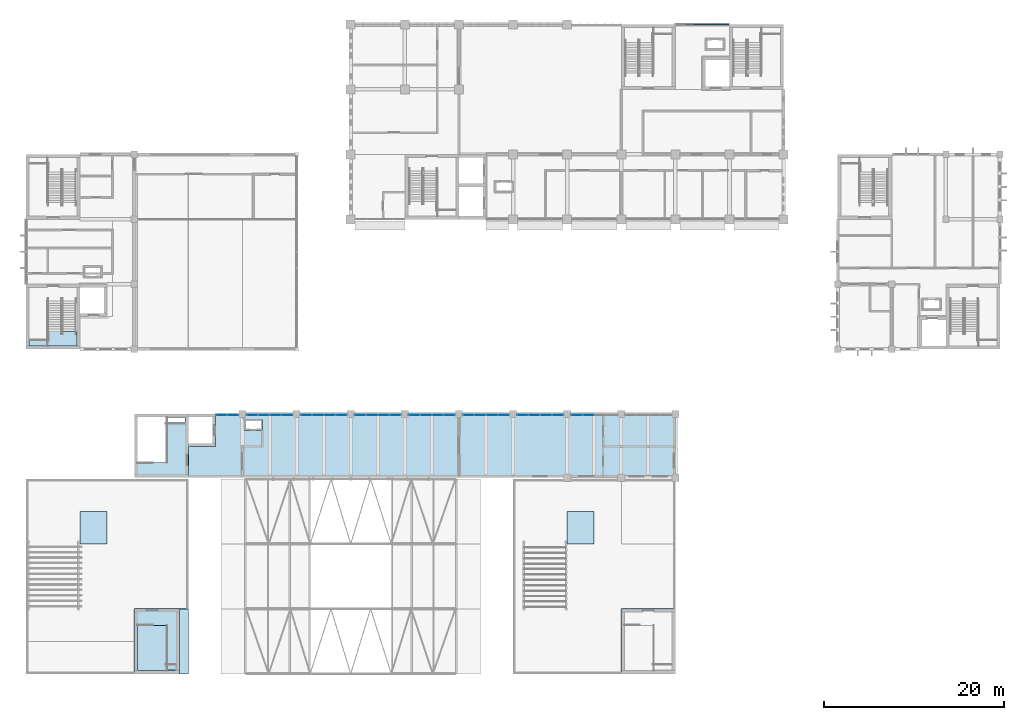
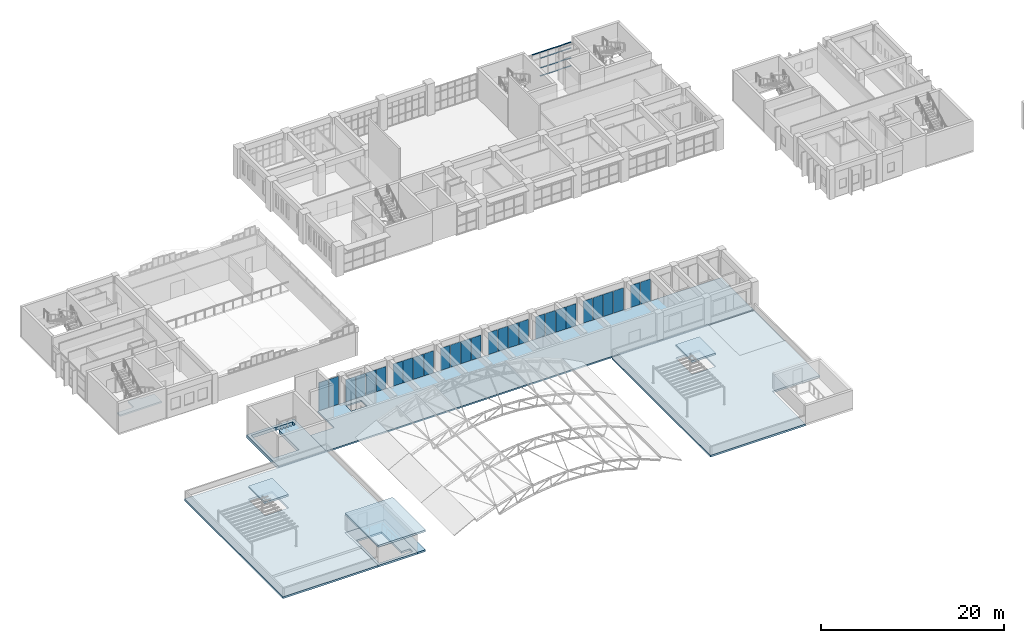
# One storey, part 53 of 92: 28 plates, 17 members, 9 slabs, 10 elements without a shape of their own.
"""IFC4 building model written with IfcOpenShell, lengths in metres."""

import ifcopenshell
import ifcopenshell.guid

model = None  # the IFC model being written
_history = None  # IfcOwnerHistory: only IFC2X3 demands one
_inside = {}  # id of a spatial element -> (the spatial element, [elements in it])
_under = {}  # id of a project, library or spatial element -> (it, [spatial elements below it])
_declared = {}  # id of a project -> (the project, [libraries it declares])
_typed = {}  # id of a type object -> (the type object, [elements of that type])
_made_of = {}  # id of a material, layer set ... -> (it, [elements and type objects made of it])


def new_model(schema):
    """Start an empty IFC model of exactly this schema.

    Asked for "IFC4X3", IfcOpenShell would pick the latest addendum, in which some entities
    have other attributes; the version numbers below select the first issue.
    IFC2X3 requires an IfcOwnerHistory on every rooted entity: one is made here for all.
    """
    global model, _history
    if schema == "IFC4X3":
        model = ifcopenshell.file(schema_version=(4, 3, 0, 0))
    else:
        model = ifcopenshell.file(schema=schema)
    _inside.clear()
    _under.clear()
    _declared.clear()
    _typed.clear()
    _made_of.clear()
    _history = None
    if model.schema == "IFC2X3":
        org = make("IfcOrganization", Name="unknown")
        user = make(
            "IfcPersonAndOrganization",
            ThePerson=make("IfcPerson", FamilyName="unknown"),
            TheOrganization=org,
        )
        app = make(
            "IfcApplication",
            ApplicationDeveloper=org,
            Version="unknown",
            ApplicationFullName="unknown",
            ApplicationIdentifier="unknown",
        )
        _history = make(
            "IfcOwnerHistory",
            OwningUser=user,
            OwningApplication=app,
            ChangeAction="ADDED",
            CreationDate=0,
        )
    return model


def make(cls, **values):
    """One entity of the class cls with the attributes given. An attribute that is None is left unset."""
    return model.create_entity(
        cls, **{name: value for name, value in values.items() if value is not None}
    )


def rooted(cls, **values):
    """An entity with a GlobalId (a new one), such as an element, a storey or a relation."""
    return make(cls, GlobalId=ifcopenshell.guid.new(), OwnerHistory=_history, **values)


def si_unit(unit_type, name, prefix=None):
    """IfcSIUnit, for example si_unit("LENGTHUNIT", "METRE", prefix="MILLI")."""
    return make("IfcSIUnit", UnitType=unit_type, Prefix=prefix, Name=name)


def assignment(units):
    """IfcUnitAssignment: the units of a project."""
    return None if units is None else make("IfcUnitAssignment", Units=units)


def point(xyz):
    """IfcCartesianPoint."""
    return None if xyz is None else make("IfcCartesianPoint", Coordinates=xyz)


def direction(xyz):
    """IfcDirection."""
    return None if xyz is None else make("IfcDirection", DirectionRatios=xyz)


def frame(location, z_axis=None, x_axis=None):
    """IfcAxis2Placement3D, a coordinate frame: its origin and axes. An axis left out is left unset."""
    return make(
        "IfcAxis2Placement3D",
        Location=point(location),
        Axis=direction(z_axis),
        RefDirection=direction(x_axis),
    )


def frame_2d(location, x_axis=None):
    """IfcAxis2Placement2D, a coordinate frame in the plane: its origin and x axis."""
    return make(
        "IfcAxis2Placement2D", Location=point(location), RefDirection=direction(x_axis)
    )


def origin():
    """The frame at (0, 0, 0) with its axes left unset."""
    return frame((0.0, 0.0, 0.0))


def origin_2d():
    """The frame at (0, 0) in the plane with its x axis left unset."""
    return frame_2d((0.0, 0.0))


def place(relative_to, where):
    """IfcLocalPlacement: puts the frame where relative to a parent placement (None: the world)."""
    return make(
        "IfcLocalPlacement", PlacementRelTo=relative_to, RelativePlacement=where
    )


def context(
    kind, dimensions, precision=None, world=None, true_north=None, identifier=None
):
    """IfcGeometricRepresentationContext, for example the 3D "Model" context."""
    return make(
        "IfcGeometricRepresentationContext",
        ContextIdentifier=identifier,
        ContextType=kind,
        CoordinateSpaceDimension=dimensions,
        Precision=precision,
        WorldCoordinateSystem=world,
        TrueNorth=true_north,
    )


def subcontext(parent, identifier, kind, view, scale=None):
    """IfcGeometricRepresentationSubContext, for example "Body" below "Model"."""
    return make(
        "IfcGeometricRepresentationSubContext",
        ContextIdentifier=identifier,
        ContextType=kind,
        ParentContext=parent,
        TargetScale=scale,
        TargetView=view,
    )


def project(units=None, contexts=None):
    """IfcProject with its units and contexts."""
    return rooted(
        "IfcProject",
        Name="project",
        RepresentationContexts=contexts,
        UnitsInContext=assignment(units),
    )


def spatial(cls, under=None, at=None, **own):
    """A site, building, storey or space (cls), placed at a placement, below another one or the project."""
    s = rooted(cls, ObjectPlacement=at, **own)
    if under is not None:
        _under.setdefault(under.id(), (under, []))[1].append(s)
    return s


def polyline(points):
    """IfcPolyline through the points."""
    return make("IfcPolyline", Points=[point(p) for p in points])


def profile(cls, at=None, kind="AREA", **sizes):
    """A parametric profile (cls). Its sizes go by their IFC names, for example OverallWidth=200.0."""
    return make(cls, ProfileType=kind, Position=at, **sizes)


def rectangle(**sizes):
    """IfcRectangleProfileDef."""
    return profile("IfcRectangleProfileDef", **sizes)


def hollow_rectangle(**sizes):
    """IfcRectangleHollowProfileDef."""
    return profile("IfcRectangleHollowProfileDef", **sizes)


def outline(outer, holes=None, kind="AREA"):
    """IfcArbitraryClosedProfileDef: a profile drawn as a closed curve; with holes, ...WithVoids."""
    if holes is None:
        return make("IfcArbitraryClosedProfileDef", ProfileType=kind, OuterCurve=outer)
    return make(
        "IfcArbitraryProfileDefWithVoids",
        ProfileType=kind,
        OuterCurve=outer,
        InnerCurves=holes,
    )


def extrude(swept, where, along, depth):
    """IfcExtrudedAreaSolid: the profile swept, set in the frame where, extruded along a direction by depth."""
    return make(
        "IfcExtrudedAreaSolid",
        SweptArea=swept,
        Position=where,
        ExtrudedDirection=direction(along),
        Depth=depth,
    )


def shape(context_of_items, identifier, shape_type, items):
    """IfcShapeRepresentation: the items that make up one representation, for example the "Body"."""
    return make(
        "IfcShapeRepresentation",
        ContextOfItems=context_of_items,
        RepresentationIdentifier=identifier,
        RepresentationType=shape_type,
        Items=items,
    )


def material(Name=None, Category=None):
    """IfcMaterial."""
    return make("IfcMaterial", Name=Name, Category=Category)


def layer(
    of_material, thickness, ventilated=None, Name=None, Category=None, Priority=None
):
    """IfcMaterialLayer: one layer of a wall or slab, of a material (None: an air gap)."""
    return make(
        "IfcMaterialLayer",
        Material=of_material,
        LayerThickness=thickness,
        IsVentilated=ventilated,
        Name=Name,
        Category=Category,
        Priority=Priority,
    )


def layer_set(layers, Name=None):
    """IfcMaterialLayerSet."""
    return make("IfcMaterialLayerSet", MaterialLayers=layers, LayerSetName=Name)


def material_profile(
    of_material, cross_section, Name=None, Category=None, Priority=None
):
    """IfcMaterialProfile: a cross section and its material."""
    return make(
        "IfcMaterialProfile",
        Name=Name,
        Material=of_material,
        Profile=cross_section,
        Priority=Priority,
        Category=Category,
    )


def profile_set(profiles, Name=None, composite=None):
    """IfcMaterialProfileSet."""
    return make(
        "IfcMaterialProfileSet",
        Name=Name,
        MaterialProfiles=profiles,
        CompositeProfile=composite,
    )


def made_of(thing, what):
    """Note that an element or type object is made of a material, layer set ...; save() writes the relation."""
    if what is not None:
        _made_of.setdefault(what.id(), (what, []))[1].append(thing)
    return thing


def type_object(cls, material=None, **own):
    """A type object (cls), such as IfcWallType, which elements share."""
    return made_of(rooted(cls, **own), material)


def element(
    cls,
    number,
    at=None,
    inside=None,
    cuts=None,
    type_object=None,
    material=None,
    context=None,
    identifier="Body",
    shape_type=None,
    held_by="IfcProductDefinitionShape",
    body=None,
    shapes=None,
    **own,
):
    """One element of the class cls, such as IfcWall. Its Tag is "e" and its number.

    at: its placement. inside: the storey or other place that contains it. cuts: it is an
    opening in that element (IfcRelVoidsElement). A single representation is given by context,
    identifier, shape_type and body (its items); several are given by shapes. held_by: the class
    of the entity that holds the representations. save() writes the other relations.
    """
    e = rooted(cls, Tag="e%d" % number, ObjectPlacement=at, **own)
    if body is not None:
        shapes = [shape(context, identifier, shape_type, body)]
    if shapes is not None:
        e.Representation = make(held_by, Representations=shapes)
    if inside is not None:
        _inside.setdefault(inside.id(), (inside, []))[1].append(e)
    if cuts is not None:
        rooted(
            "IfcRelVoidsElement", RelatingBuildingElement=cuts, RelatedOpeningElement=e
        )
    if type_object is not None:
        _typed.setdefault(type_object.id(), (type_object, []))[1].append(e)
    return made_of(e, material)


def aggregate(whole, parts):
    """IfcRelAggregates: a whole, such as a stair, and the parts it consists of."""
    return rooted("IfcRelAggregates", RelatingObject=whole, RelatedObjects=parts)


def save(model, path):
    """Write the relations noted so far, then the file.

    IfcRelAggregates (storeys below a building ...), IfcRelContainedInSpatialStructure (elements
    in a storey), IfcRelDefinesByType, IfcRelAssociatesMaterial and IfcRelDeclares: one each for
    every whole, place, type object, material and project.
    """
    for whole, parts in _under.values():
        aggregate(whole, parts)
    for where, things in _inside.values():
        rooted(
            "IfcRelContainedInSpatialStructure",
            RelatedElements=things,
            RelatingStructure=where,
        )
    for kind, things in _typed.values():
        rooted("IfcRelDefinesByType", RelatedObjects=things, RelatingType=kind)
    for what, things in _made_of.values():
        rooted("IfcRelAssociatesMaterial", RelatedObjects=things, RelatingMaterial=what)
    for by, libraries in _declared.values():
        rooted("IfcRelDeclares", RelatingContext=by, RelatedDefinitions=libraries)
    model.write(path)


model = new_model("IFC4")

# Units and contexts
model_context = context("Model", 3, precision=1e-05, world=origin(), true_north=direction((0.0, 1.0)))
body_context = subcontext(model_context, "Body", "Model", "MODEL_VIEW")
ifc_project = project(units=[si_unit("LENGTHUNIT", "METRE"), si_unit("AREAUNIT", "SQUARE_METRE"), si_unit("VOLUMEUNIT", "CUBIC_METRE"), si_unit("PLANEANGLEUNIT", "RADIAN"), si_unit("MASSUNIT", "GRAM", prefix="KILO")], contexts=[model_context])

# Site, building, storey
site_placement = place(None, origin())
site = spatial("IfcSite", under=ifc_project, at=site_placement, CompositionType="ELEMENT")
building_placement = place(site_placement, origin())
building = spatial("IfcBuilding", under=site, at=building_placement, Name="Laocheng Heights Fire and Rescue Headquarters", CompositionType="ELEMENT")
storey_placement = place(building_placement, frame((0.0, 0.0, 12.60009765625)))
storey = spatial("IfcBuildingStorey", under=building, at=storey_placement, Name="L03", CompositionType="ELEMENT", Elevation=12.60009765625)

# Curtain wall, members
ifc_material_1 = material(Name="Dark anodised aluminium unitised curtain wall, low-e double glazing", Category="aluminium")
curtain_wall_type_1 = type_object("IfcCurtainWallType", Name="CW 6000 x 3200 HQ CONTROL ROOM FACE", PredefinedType="NOTDEFINED", material=ifc_material_1)
curtain_wall_1_placement = place(storey_placement, origin())
curtain_wall_1 = element("IfcCurtainWall", 1, at=curtain_wall_1_placement, inside=storey, type_object=curtain_wall_type_1, Name="X23-X HQ NORTH L03", PredefinedType="NOTDEFINED")
ifc_material_2 = material(Name="Dark anodised aluminium 6063-T5 extrusion", Category="aluminium")
ifc_material_profile = material_profile(ifc_material_2, hollow_rectangle(XDim=0.10009765625, YDim=0.050048828125, WallThickness=0.0029296875, at=origin_2d()), Name="AL TRANSOM 100x50x3 HQ CONTROL ROOM FACE")
ifc_profile_set = profile_set([ifc_material_profile], Name="Dark anodised aluminium 6063-T5 extrusion")
member_type = type_object("IfcMemberType", Name="AL TRANSOM 100x50x3 HQ CONTROL ROOM FACE", PredefinedType="USERDEFINED", material=ifc_profile_set)
member_1_placement = place(storey_placement, frame((73.030029296875, 72.0, 3.1748046875), z_axis=(1.0, 0.0, 0.0), x_axis=(0.0, 1.0, 0.0)))
member_1 = element("IfcMember", 2, at=member_1_placement, type_object=member_type, Name="X23-X transom 2.4", ObjectType="TRANSOM", PredefinedType="USERDEFINED", context=body_context, shape_type="SweptSolid", body=[
    extrude(hollow_rectangle(XDim=0.10009765625, YDim=0.050048828125, WallThickness=0.0029296875, at=origin_2d()), origin(), (0.0, 0.0, 1.0), 0.93994140625),
])
member_2_placement = place(storey_placement, frame((74.030029296875, 72.0, 0.02490234375), z_axis=(1.0, 0.0, 0.0), x_axis=(0.0, 1.0, 0.0)))
member_2 = element("IfcMember", 3, at=member_2_placement, type_object=member_type, Name="X23-X transom 3.1", ObjectType="TRANSOM", PredefinedType="USERDEFINED", context=body_context, shape_type="SweptSolid", body=[
    extrude(hollow_rectangle(XDim=0.10009765625, YDim=0.050048828125, WallThickness=0.0029296875, at=origin_2d()), origin(), (0.0, 0.0, 1.0), 0.93994140625),
])
member_3_placement = place(storey_placement, frame((74.030029296875, 72.0, 1.099853515625), z_axis=(1.0, 0.0, 0.0), x_axis=(0.0, 1.0, 0.0)))
member_3 = element("IfcMember", 4, at=member_3_placement, type_object=member_type, Name="X23-X transom 3.2", ObjectType="TRANSOM", PredefinedType="USERDEFINED", context=body_context, shape_type="SweptSolid", body=[
    extrude(hollow_rectangle(XDim=0.10009765625, YDim=0.050048828125, WallThickness=0.0029296875, at=origin_2d()), origin(), (0.0, 0.0, 1.0), 0.93994140625),
])
member_4_placement = place(storey_placement, frame((74.030029296875, 72.0, 2.39990234375), z_axis=(1.0, 0.0, 0.0), x_axis=(0.0, 1.0, 0.0)))
member_4 = element("IfcMember", 5, at=member_4_placement, type_object=member_type, Name="X23-X transom 3.3", ObjectType="TRANSOM", PredefinedType="USERDEFINED", context=body_context, shape_type="SweptSolid", body=[
    extrude(hollow_rectangle(XDim=0.10009765625, YDim=0.050048828125, WallThickness=0.0029296875, at=origin_2d()), origin(), (0.0, 0.0, 1.0), 0.93994140625),
])
member_5_placement = place(storey_placement, frame((74.030029296875, 72.0, 3.1748046875), z_axis=(1.0, 0.0, 0.0), x_axis=(0.0, 1.0, 0.0)))
member_5 = element("IfcMember", 6, at=member_5_placement, type_object=member_type, Name="X23-X transom 3.4", ObjectType="TRANSOM", PredefinedType="USERDEFINED", context=body_context, shape_type="SweptSolid", body=[
    extrude(hollow_rectangle(XDim=0.10009765625, YDim=0.050048828125, WallThickness=0.0029296875, at=origin_2d()), origin(), (0.0, 0.0, 1.0), 0.93994140625),
])
member_6_placement = place(storey_placement, frame((75.030029296875, 72.0, 0.02490234375), z_axis=(1.0, 0.0, 0.0), x_axis=(0.0, 1.0, 0.0)))
member_6 = element("IfcMember", 7, at=member_6_placement, type_object=member_type, Name="X23-X transom 4.1", ObjectType="TRANSOM", PredefinedType="USERDEFINED", context=body_context, shape_type="SweptSolid", body=[
    extrude(hollow_rectangle(XDim=0.10009765625, YDim=0.050048828125, WallThickness=0.0029296875, at=origin_2d()), origin(), (0.0, 0.0, 1.0), 0.93994140625),
])
member_7_placement = place(storey_placement, frame((75.030029296875, 72.0, 1.099853515625), z_axis=(1.0, 0.0, 0.0), x_axis=(0.0, 1.0, 0.0)))
member_7 = element("IfcMember", 8, at=member_7_placement, type_object=member_type, Name="X23-X transom 4.2", ObjectType="TRANSOM", PredefinedType="USERDEFINED", context=body_context, shape_type="SweptSolid", body=[
    extrude(hollow_rectangle(XDim=0.10009765625, YDim=0.050048828125, WallThickness=0.0029296875, at=origin_2d()), origin(), (0.0, 0.0, 1.0), 0.93994140625),
])
member_8_placement = place(storey_placement, frame((75.030029296875, 72.0, 2.39990234375), z_axis=(1.0, 0.0, 0.0), x_axis=(0.0, 1.0, 0.0)))
member_8 = element("IfcMember", 9, at=member_8_placement, type_object=member_type, Name="X23-X transom 4.3", ObjectType="TRANSOM", PredefinedType="USERDEFINED", context=body_context, shape_type="SweptSolid", body=[
    extrude(hollow_rectangle(XDim=0.10009765625, YDim=0.050048828125, WallThickness=0.0029296875, at=origin_2d()), origin(), (0.0, 0.0, 1.0), 0.93994140625),
])
member_9_placement = place(storey_placement, frame((75.030029296875, 72.0, 3.1748046875), z_axis=(1.0, 0.0, 0.0), x_axis=(0.0, 1.0, 0.0)))
member_9 = element("IfcMember", 10, at=member_9_placement, type_object=member_type, Name="X23-X transom 4.4", ObjectType="TRANSOM", PredefinedType="USERDEFINED", context=body_context, shape_type="SweptSolid", body=[
    extrude(hollow_rectangle(XDim=0.10009765625, YDim=0.050048828125, WallThickness=0.0029296875, at=origin_2d()), origin(), (0.0, 0.0, 1.0), 0.93994140625),
])
member_10_placement = place(storey_placement, frame((76.030029296875, 72.0, 0.02490234375), z_axis=(1.0, 0.0, 0.0), x_axis=(0.0, 1.0, 0.0)))
member_10 = element("IfcMember", 11, at=member_10_placement, type_object=member_type, Name="X23-X transom 5.1", ObjectType="TRANSOM", PredefinedType="USERDEFINED", context=body_context, shape_type="SweptSolid", body=[
    extrude(hollow_rectangle(XDim=0.10009765625, YDim=0.050048828125, WallThickness=0.0029296875, at=origin_2d()), origin(), (0.0, 0.0, 1.0), 0.93994140625),
])
member_11_placement = place(storey_placement, frame((76.030029296875, 72.0, 1.099853515625), z_axis=(1.0, 0.0, 0.0), x_axis=(0.0, 1.0, 0.0)))
member_11 = element("IfcMember", 12, at=member_11_placement, type_object=member_type, Name="X23-X transom 5.2", ObjectType="TRANSOM", PredefinedType="USERDEFINED", context=body_context, shape_type="SweptSolid", body=[
    extrude(hollow_rectangle(XDim=0.10009765625, YDim=0.050048828125, WallThickness=0.0029296875, at=origin_2d()), origin(), (0.0, 0.0, 1.0), 0.93994140625),
])
member_12_placement = place(storey_placement, frame((76.030029296875, 72.0, 2.39990234375), z_axis=(1.0, 0.0, 0.0), x_axis=(0.0, 1.0, 0.0)))
member_12 = element("IfcMember", 13, at=member_12_placement, type_object=member_type, Name="X23-X transom 5.3", ObjectType="TRANSOM", PredefinedType="USERDEFINED", context=body_context, shape_type="SweptSolid", body=[
    extrude(hollow_rectangle(XDim=0.10009765625, YDim=0.050048828125, WallThickness=0.0029296875, at=origin_2d()), origin(), (0.0, 0.0, 1.0), 0.93994140625),
])
member_13_placement = place(storey_placement, frame((76.030029296875, 72.0, 3.1748046875), z_axis=(1.0, 0.0, 0.0), x_axis=(0.0, 1.0, 0.0)))
member_13 = element("IfcMember", 14, at=member_13_placement, type_object=member_type, Name="X23-X transom 5.4", ObjectType="TRANSOM", PredefinedType="USERDEFINED", context=body_context, shape_type="SweptSolid", body=[
    extrude(hollow_rectangle(XDim=0.10009765625, YDim=0.050048828125, WallThickness=0.0029296875, at=origin_2d()), origin(), (0.0, 0.0, 1.0), 0.93994140625),
])
member_14_placement = place(storey_placement, frame((77.030029296875, 72.0, 0.02490234375), z_axis=(1.0, 0.0, 0.0), x_axis=(0.0, 1.0, 0.0)))
member_14 = element("IfcMember", 15, at=member_14_placement, type_object=member_type, Name="X23-X transom 6.1", ObjectType="TRANSOM", PredefinedType="USERDEFINED", context=body_context, shape_type="SweptSolid", body=[
    extrude(hollow_rectangle(XDim=0.10009765625, YDim=0.050048828125, WallThickness=0.0029296875, at=origin_2d()), origin(), (0.0, 0.0, 1.0), 0.909912109375),
])
member_15_placement = place(storey_placement, frame((77.030029296875, 72.0, 1.099853515625), z_axis=(1.0, 0.0, 0.0), x_axis=(0.0, 1.0, 0.0)))
member_15 = element("IfcMember", 16, at=member_15_placement, type_object=member_type, Name="X23-X transom 6.2", ObjectType="TRANSOM", PredefinedType="USERDEFINED", context=body_context, shape_type="SweptSolid", body=[
    extrude(hollow_rectangle(XDim=0.10009765625, YDim=0.050048828125, WallThickness=0.0029296875, at=origin_2d()), origin(), (0.0, 0.0, 1.0), 0.909912109375),
])
member_16_placement = place(storey_placement, frame((77.030029296875, 72.0, 2.39990234375), z_axis=(1.0, 0.0, 0.0), x_axis=(0.0, 1.0, 0.0)))
member_16 = element("IfcMember", 17, at=member_16_placement, type_object=member_type, Name="X23-X transom 6.3", ObjectType="TRANSOM", PredefinedType="USERDEFINED", context=body_context, shape_type="SweptSolid", body=[
    extrude(hollow_rectangle(XDim=0.10009765625, YDim=0.050048828125, WallThickness=0.0029296875, at=origin_2d()), origin(), (0.0, 0.0, 1.0), 0.909912109375),
])
member_17_placement = place(storey_placement, frame((77.030029296875, 72.0, 3.1748046875), z_axis=(1.0, 0.0, 0.0), x_axis=(0.0, 1.0, 0.0)))
member_17 = element("IfcMember", 18, at=member_17_placement, type_object=member_type, Name="X23-X transom 6.4", ObjectType="TRANSOM", PredefinedType="USERDEFINED", context=body_context, shape_type="SweptSolid", body=[
    extrude(hollow_rectangle(XDim=0.10009765625, YDim=0.050048828125, WallThickness=0.0029296875, at=origin_2d()), origin(), (0.0, 0.0, 1.0), 0.909912109375),
])
aggregate(curtain_wall_1, [member_1, member_2, member_3, member_4, member_5, member_6, member_7, member_8, member_9, member_10, member_11, member_12, member_13, member_14, member_15, member_16, member_17])

# Curtain wall, plates
ifc_material_3 = material(Name="Aluminium unitised curtain wall, low-e double glazing", Category="aluminium")
curtain_wall_type_2 = type_object("IfcCurtainWallType", Name="CW 2600 x 3950 GALLERY UNIT", PredefinedType="NOTDEFINED", material=ifc_material_3)
curtain_wall_2_placement = place(storey_placement, origin())
curtain_wall_2 = element("IfcCurtainWall", 19, at=curtain_wall_2_placement, inside=storey, type_object=curtain_wall_type_2, Name="Gallery north glazing L03", PredefinedType="NOTDEFINED")
ifc_material_4 = material(Name="Aluminium shadow-box panel, insulated and back-painted", Category="aluminium")
ifc_layer_1 = layer(ifc_material_4, 0.06005859375)
ifc_layer_set_1 = layer_set([ifc_layer_1], Name="Aluminium shadow-box panel, insulated and back-painted")
plate_type = type_object("IfcPlateType", Name="CW SHADOW BOX PANEL 60", PredefinedType="CURTAIN_PANEL", material=ifc_layer_set_1)
plate_1_placement = place(storey_placement, frame((21.6650390625, 28.699951171875, 0.099853515625), z_axis=(0.0, 0.0, 1.0), x_axis=(1.0, 0.0, 0.0)))
plate_1 = element("IfcPlate", 20, at=plate_1_placement, type_object=plate_type, Name="X5-E panel 1.1", PredefinedType="CURTAIN_PANEL", context=body_context, shape_type="SweptSolid", body=[
    extrude(rectangle(XDim=1.2099609375, YDim=0.06005859375, at=origin_2d()), origin(), (0.0, 0.0, 1.0), 3.75),
])
plate_2_placement = place(storey_placement, frame((22.93505859375, 28.699951171875, 0.099853515625), z_axis=(0.0, 0.0, 1.0), x_axis=(1.0, 0.0, 0.0)))
plate_2 = element("IfcPlate", 21, at=plate_2_placement, type_object=plate_type, Name="X5-E panel 2.1", PredefinedType="CURTAIN_PANEL", context=body_context, shape_type="SweptSolid", body=[
    extrude(rectangle(XDim=1.2099609375, YDim=0.06005859375, at=origin_2d()), origin(), (0.0, 0.0, 1.0), 3.75),
])
aggregate(curtain_wall_2, [plate_1, plate_2])

ifc_material_5 = material(Name="Aluminium unitised curtain wall, low-e double glazing", Category="aluminium")
curtain_wall_type_3 = type_object("IfcCurtainWallType", Name="CW 5200 x 3150 GALLERY UNIT", PredefinedType="NOTDEFINED", material=ifc_material_5)
curtain_wall_3_placement = place(storey_placement, origin())
curtain_wall_3 = element("IfcCurtainWall", 22, at=curtain_wall_3_placement, inside=storey, type_object=curtain_wall_type_3, Name="Gallery north glazing L03", PredefinedType="NOTDEFINED")
plate_3_placement = place(storey_placement, frame((25.06494140625, 28.699951171875, 0.10009765625), z_axis=(0.0, 0.0, 1.0), x_axis=(1.0, 0.0, 0.0)))
plate_3 = element("IfcPlate", 23, at=plate_3_placement, type_object=plate_type, Name="X6-E panel 1.1", PredefinedType="CURTAIN_PANEL", context=body_context, shape_type="SweptSolid", body=[
    extrude(rectangle(XDim=1.2099609375, YDim=0.06005859375, at=origin_2d()), origin(), (0.0, 0.0, 1.0), 2.949951171875),
])
plate_4_placement = place(storey_placement, frame((26.35009765625, 28.699951171875, 0.10009765625), z_axis=(0.0, 0.0, 1.0), x_axis=(1.0, 0.0, 0.0)))
plate_4 = element("IfcPlate", 24, at=plate_4_placement, type_object=plate_type, Name="X6-E panel 2.1", PredefinedType="CURTAIN_PANEL", context=body_context, shape_type="SweptSolid", body=[
    extrude(rectangle(XDim=1.239990234375, YDim=0.06005859375, at=origin_2d()), origin(), (0.0, 0.0, 1.0), 2.949951171875),
])
plate_5_placement = place(storey_placement, frame((27.64990234375, 28.699951171875, 0.10009765625), z_axis=(0.0, 0.0, 1.0), x_axis=(1.0, 0.0, 0.0)))
plate_5 = element("IfcPlate", 25, at=plate_5_placement, type_object=plate_type, Name="X6-E panel 3.1", PredefinedType="CURTAIN_PANEL", context=body_context, shape_type="SweptSolid", body=[
    extrude(rectangle(XDim=1.239990234375, YDim=0.06005859375, at=origin_2d()), origin(), (0.0, 0.0, 1.0), 2.949951171875),
])
plate_6_placement = place(storey_placement, frame((28.93505859375, 28.699951171875, 0.10009765625), z_axis=(0.0, 0.0, 1.0), x_axis=(1.0, 0.0, 0.0)))
plate_6 = element("IfcPlate", 26, at=plate_6_placement, type_object=plate_type, Name="X6-E panel 4.1", PredefinedType="CURTAIN_PANEL", context=body_context, shape_type="SweptSolid", body=[
    extrude(rectangle(XDim=1.2099609375, YDim=0.06005859375, at=origin_2d()), origin(), (0.0, 0.0, 1.0), 2.949951171875),
])
aggregate(curtain_wall_3, [plate_3, plate_4, plate_5, plate_6])

curtain_wall_4_placement = place(storey_placement, origin())
curtain_wall_4 = element("IfcCurtainWall", 27, at=curtain_wall_4_placement, inside=storey, type_object=curtain_wall_type_3, Name="Gallery north glazing L03", PredefinedType="NOTDEFINED")
plate_7_placement = place(storey_placement, frame((31.06494140625, 28.699951171875, 0.10009765625), z_axis=(0.0, 0.0, 1.0), x_axis=(1.0, 0.0, 0.0)))
plate_7 = element("IfcPlate", 28, at=plate_7_placement, type_object=plate_type, Name="X6-E panel 1.1", PredefinedType="CURTAIN_PANEL", context=body_context, shape_type="SweptSolid", body=[
    extrude(rectangle(XDim=1.2099609375, YDim=0.06005859375, at=origin_2d()), origin(), (0.0, 0.0, 1.0), 2.949951171875),
])
plate_8_placement = place(storey_placement, frame((32.35009765625, 28.699951171875, 0.10009765625), z_axis=(0.0, 0.0, 1.0), x_axis=(1.0, 0.0, 0.0)))
plate_8 = element("IfcPlate", 29, at=plate_8_placement, type_object=plate_type, Name="X6-E panel 2.1", PredefinedType="CURTAIN_PANEL", context=body_context, shape_type="SweptSolid", body=[
    extrude(rectangle(XDim=1.239990234375, YDim=0.06005859375, at=origin_2d()), origin(), (0.0, 0.0, 1.0), 2.949951171875),
])
plate_9_placement = place(storey_placement, frame((33.64990234375, 28.699951171875, 0.10009765625), z_axis=(0.0, 0.0, 1.0), x_axis=(1.0, 0.0, 0.0)))
plate_9 = element("IfcPlate", 30, at=plate_9_placement, type_object=plate_type, Name="X6-E panel 3.1", PredefinedType="CURTAIN_PANEL", context=body_context, shape_type="SweptSolid", body=[
    extrude(rectangle(XDim=1.239990234375, YDim=0.06005859375, at=origin_2d()), origin(), (0.0, 0.0, 1.0), 2.949951171875),
])
plate_10_placement = place(storey_placement, frame((34.93505859375, 28.699951171875, 0.10009765625), z_axis=(0.0, 0.0, 1.0), x_axis=(1.0, 0.0, 0.0)))
plate_10 = element("IfcPlate", 31, at=plate_10_placement, type_object=plate_type, Name="X6-E panel 4.1", PredefinedType="CURTAIN_PANEL", context=body_context, shape_type="SweptSolid", body=[
    extrude(rectangle(XDim=1.2099609375, YDim=0.06005859375, at=origin_2d()), origin(), (0.0, 0.0, 1.0), 2.949951171875),
])
aggregate(curtain_wall_4, [plate_7, plate_8, plate_9, plate_10])

curtain_wall_5_placement = place(storey_placement, origin())
curtain_wall_5 = element("IfcCurtainWall", 32, at=curtain_wall_5_placement, inside=storey, type_object=curtain_wall_type_3, Name="Gallery north glazing L03", PredefinedType="NOTDEFINED")
plate_11_placement = place(storey_placement, frame((37.06494140625, 28.699951171875, 0.10009765625), z_axis=(0.0, 0.0, 1.0), x_axis=(1.0, 0.0, 0.0)))
plate_11 = element("IfcPlate", 33, at=plate_11_placement, type_object=plate_type, Name="X6-E panel 1.1", PredefinedType="CURTAIN_PANEL", context=body_context, shape_type="SweptSolid", body=[
    extrude(rectangle(XDim=1.2099609375, YDim=0.06005859375, at=origin_2d()), origin(), (0.0, 0.0, 1.0), 2.949951171875),
])
plate_12_placement = place(storey_placement, frame((38.35009765625, 28.699951171875, 0.10009765625), z_axis=(0.0, 0.0, 1.0), x_axis=(1.0, 0.0, 0.0)))
plate_12 = element("IfcPlate", 34, at=plate_12_placement, type_object=plate_type, Name="X6-E panel 2.1", PredefinedType="CURTAIN_PANEL", context=body_context, shape_type="SweptSolid", body=[
    extrude(rectangle(XDim=1.239990234375, YDim=0.06005859375, at=origin_2d()), origin(), (0.0, 0.0, 1.0), 2.949951171875),
])
plate_13_placement = place(storey_placement, frame((39.64990234375, 28.699951171875, 0.10009765625), z_axis=(0.0, 0.0, 1.0), x_axis=(1.0, 0.0, 0.0)))
plate_13 = element("IfcPlate", 35, at=plate_13_placement, type_object=plate_type, Name="X6-E panel 3.1", PredefinedType="CURTAIN_PANEL", context=body_context, shape_type="SweptSolid", body=[
    extrude(rectangle(XDim=1.239990234375, YDim=0.06005859375, at=origin_2d()), origin(), (0.0, 0.0, 1.0), 2.949951171875),
])
plate_14_placement = place(storey_placement, frame((40.93505859375, 28.699951171875, 0.10009765625), z_axis=(0.0, 0.0, 1.0), x_axis=(1.0, 0.0, 0.0)))
plate_14 = element("IfcPlate", 36, at=plate_14_placement, type_object=plate_type, Name="X6-E panel 4.1", PredefinedType="CURTAIN_PANEL", context=body_context, shape_type="SweptSolid", body=[
    extrude(rectangle(XDim=1.2099609375, YDim=0.06005859375, at=origin_2d()), origin(), (0.0, 0.0, 1.0), 2.949951171875),
])
aggregate(curtain_wall_5, [plate_11, plate_12, plate_13, plate_14])

curtain_wall_6_placement = place(storey_placement, origin())
curtain_wall_6 = element("IfcCurtainWall", 37, at=curtain_wall_6_placement, inside=storey, type_object=curtain_wall_type_3, Name="Gallery north glazing L03", PredefinedType="NOTDEFINED")
plate_15_placement = place(storey_placement, frame((43.06494140625, 28.699951171875, 0.10009765625), z_axis=(0.0, 0.0, 1.0), x_axis=(1.0, 0.0, 0.0)))
plate_15 = element("IfcPlate", 38, at=plate_15_placement, type_object=plate_type, Name="X6-E panel 1.1", PredefinedType="CURTAIN_PANEL", context=body_context, shape_type="SweptSolid", body=[
    extrude(rectangle(XDim=1.2099609375, YDim=0.06005859375, at=origin_2d()), origin(), (0.0, 0.0, 1.0), 2.949951171875),
])
plate_16_placement = place(storey_placement, frame((44.35009765625, 28.699951171875, 0.10009765625), z_axis=(0.0, 0.0, 1.0), x_axis=(1.0, 0.0, 0.0)))
plate_16 = element("IfcPlate", 39, at=plate_16_placement, type_object=plate_type, Name="X6-E panel 2.1", PredefinedType="CURTAIN_PANEL", context=body_context, shape_type="SweptSolid", body=[
    extrude(rectangle(XDim=1.239990234375, YDim=0.06005859375, at=origin_2d()), origin(), (0.0, 0.0, 1.0), 2.949951171875),
])
plate_17_placement = place(storey_placement, frame((45.64990234375, 28.699951171875, 0.10009765625), z_axis=(0.0, 0.0, 1.0), x_axis=(1.0, 0.0, 0.0)))
plate_17 = element("IfcPlate", 40, at=plate_17_placement, type_object=plate_type, Name="X6-E panel 3.1", PredefinedType="CURTAIN_PANEL", context=body_context, shape_type="SweptSolid", body=[
    extrude(rectangle(XDim=1.239990234375, YDim=0.06005859375, at=origin_2d()), origin(), (0.0, 0.0, 1.0), 2.949951171875),
])
plate_18_placement = place(storey_placement, frame((46.93505859375, 28.699951171875, 0.10009765625), z_axis=(0.0, 0.0, 1.0), x_axis=(1.0, 0.0, 0.0)))
plate_18 = element("IfcPlate", 41, at=plate_18_placement, type_object=plate_type, Name="X6-E panel 4.1", PredefinedType="CURTAIN_PANEL", context=body_context, shape_type="SweptSolid", body=[
    extrude(rectangle(XDim=1.2099609375, YDim=0.06005859375, at=origin_2d()), origin(), (0.0, 0.0, 1.0), 2.949951171875),
])
aggregate(curtain_wall_6, [plate_15, plate_16, plate_17, plate_18])

curtain_wall_7_placement = place(storey_placement, origin())
curtain_wall_7 = element("IfcCurtainWall", 42, at=curtain_wall_7_placement, inside=storey, type_object=curtain_wall_type_3, Name="Gallery north glazing L03", PredefinedType="NOTDEFINED")
plate_19_placement = place(storey_placement, frame((49.06494140625, 28.699951171875, 0.10009765625), z_axis=(0.0, 0.0, 1.0), x_axis=(1.0, 0.0, 0.0)))
plate_19 = element("IfcPlate", 43, at=plate_19_placement, type_object=plate_type, Name="X6-E panel 1.1", PredefinedType="CURTAIN_PANEL", context=body_context, shape_type="SweptSolid", body=[
    extrude(rectangle(XDim=1.2099609375, YDim=0.06005859375, at=origin_2d()), origin(), (0.0, 0.0, 1.0), 2.949951171875),
])
plate_20_placement = place(storey_placement, frame((50.35009765625, 28.699951171875, 0.10009765625), z_axis=(0.0, 0.0, 1.0), x_axis=(1.0, 0.0, 0.0)))
plate_20 = element("IfcPlate", 44, at=plate_20_placement, type_object=plate_type, Name="X6-E panel 2.1", PredefinedType="CURTAIN_PANEL", context=body_context, shape_type="SweptSolid", body=[
    extrude(rectangle(XDim=1.239990234375, YDim=0.06005859375, at=origin_2d()), origin(), (0.0, 0.0, 1.0), 2.949951171875),
])
plate_21_placement = place(storey_placement, frame((51.64990234375, 28.699951171875, 0.10009765625), z_axis=(0.0, 0.0, 1.0), x_axis=(1.0, 0.0, 0.0)))
plate_21 = element("IfcPlate", 45, at=plate_21_placement, type_object=plate_type, Name="X6-E panel 3.1", PredefinedType="CURTAIN_PANEL", context=body_context, shape_type="SweptSolid", body=[
    extrude(rectangle(XDim=1.239990234375, YDim=0.06005859375, at=origin_2d()), origin(), (0.0, 0.0, 1.0), 2.949951171875),
])
plate_22_placement = place(storey_placement, frame((52.93505859375, 28.699951171875, 0.10009765625), z_axis=(0.0, 0.0, 1.0), x_axis=(1.0, 0.0, 0.0)))
plate_22 = element("IfcPlate", 46, at=plate_22_placement, type_object=plate_type, Name="X6-E panel 4.1", PredefinedType="CURTAIN_PANEL", context=body_context, shape_type="SweptSolid", body=[
    extrude(rectangle(XDim=1.2099609375, YDim=0.06005859375, at=origin_2d()), origin(), (0.0, 0.0, 1.0), 2.949951171875),
])
aggregate(curtain_wall_7, [plate_19, plate_20, plate_21, plate_22])

curtain_wall_8_placement = place(storey_placement, origin())
curtain_wall_8 = element("IfcCurtainWall", 47, at=curtain_wall_8_placement, inside=storey, type_object=curtain_wall_type_3, Name="Gallery north glazing L03", PredefinedType="NOTDEFINED")
plate_23_placement = place(storey_placement, frame((55.06494140625, 28.699951171875, 0.10009765625), z_axis=(0.0, 0.0, 1.0), x_axis=(1.0, 0.0, 0.0)))
plate_23 = element("IfcPlate", 48, at=plate_23_placement, type_object=plate_type, Name="X6-E panel 1.1", PredefinedType="CURTAIN_PANEL", context=body_context, shape_type="SweptSolid", body=[
    extrude(rectangle(XDim=1.2099609375, YDim=0.06005859375, at=origin_2d()), origin(), (0.0, 0.0, 1.0), 2.949951171875),
])
plate_24_placement = place(storey_placement, frame((56.35009765625, 28.699951171875, 0.10009765625), z_axis=(0.0, 0.0, 1.0), x_axis=(1.0, 0.0, 0.0)))
plate_24 = element("IfcPlate", 49, at=plate_24_placement, type_object=plate_type, Name="X6-E panel 2.1", PredefinedType="CURTAIN_PANEL", context=body_context, shape_type="SweptSolid", body=[
    extrude(rectangle(XDim=1.239990234375, YDim=0.06005859375, at=origin_2d()), origin(), (0.0, 0.0, 1.0), 2.949951171875),
])
plate_25_placement = place(storey_placement, frame((57.64990234375, 28.699951171875, 0.10009765625), z_axis=(0.0, 0.0, 1.0), x_axis=(1.0, 0.0, 0.0)))
plate_25 = element("IfcPlate", 50, at=plate_25_placement, type_object=plate_type, Name="X6-E panel 3.1", PredefinedType="CURTAIN_PANEL", context=body_context, shape_type="SweptSolid", body=[
    extrude(rectangle(XDim=1.239990234375, YDim=0.06005859375, at=origin_2d()), origin(), (0.0, 0.0, 1.0), 2.949951171875),
])
plate_26_placement = place(storey_placement, frame((58.93505859375, 28.699951171875, 0.10009765625), z_axis=(0.0, 0.0, 1.0), x_axis=(1.0, 0.0, 0.0)))
plate_26 = element("IfcPlate", 51, at=plate_26_placement, type_object=plate_type, Name="X6-E panel 4.1", PredefinedType="CURTAIN_PANEL", context=body_context, shape_type="SweptSolid", body=[
    extrude(rectangle(XDim=1.2099609375, YDim=0.06005859375, at=origin_2d()), origin(), (0.0, 0.0, 1.0), 2.949951171875),
])
aggregate(curtain_wall_8, [plate_23, plate_24, plate_25, plate_26])

curtain_wall_9_placement = place(storey_placement, origin())
curtain_wall_9 = element("IfcCurtainWall", 52, at=curtain_wall_9_placement, inside=storey, type_object=curtain_wall_type_3, Name="Gallery north glazing L03", PredefinedType="NOTDEFINED")
plate_27_placement = place(storey_placement, frame((61.06494140625, 28.699951171875, 0.10009765625), z_axis=(0.0, 0.0, 1.0), x_axis=(1.0, 0.0, 0.0)))
plate_27 = element("IfcPlate", 53, at=plate_27_placement, type_object=plate_type, Name="X6-E panel 1.1", PredefinedType="CURTAIN_PANEL", context=body_context, shape_type="SweptSolid", body=[
    extrude(rectangle(XDim=1.2099609375, YDim=0.06005859375, at=origin_2d()), origin(), (0.0, 0.0, 1.0), 2.949951171875),
])
plate_28_placement = place(storey_placement, frame((62.35009765625, 28.699951171875, 0.10009765625), z_axis=(0.0, 0.0, 1.0), x_axis=(1.0, 0.0, 0.0)))
plate_28 = element("IfcPlate", 54, at=plate_28_placement, type_object=plate_type, Name="X6-E panel 2.1", PredefinedType="CURTAIN_PANEL", context=body_context, shape_type="SweptSolid", body=[
    extrude(rectangle(XDim=1.239990234375, YDim=0.06005859375, at=origin_2d()), origin(), (0.0, 0.0, 1.0), 2.949951171875),
])
aggregate(curtain_wall_9, [plate_27, plate_28])

# Slabs
ifc_material_6 = material(Name="Concrete C40", Category="concrete")
ifc_layer_2 = layer(ifc_material_6, 0.199951171875)
ifc_layer_set_2 = layer_set([ifc_layer_2], Name="Concrete C40")
slab_type_1 = type_object("IfcSlabType", Name="RC GALLERY UPPER FLOOR SLAB 200", PredefinedType="FLOOR", material=ifc_layer_set_2)
slab_1_placement = place(storey_placement, frame((0.0, 0.0, -0.2001953125)))
element("IfcSlab", 55, at=slab_1_placement, inside=storey, type_object=slab_type_1, Name="Gallery upper floor slab", PredefinedType="FLOOR", context=body_context, shape_type="SweptSolid", body=[
    extrude(outline(polyline([(72.0, 28.800048828125), (21.0, 28.800048828125), (21.0, 25.199951171875), (18.0, 25.199951171875), (18.0, 21.75), (72.0, 21.75), (72.0, 28.800048828125)]), holes=[polyline([(26.199951171875, 27.0), (24.199951171875, 27.0), (24.199951171875, 28.199951171875), (26.199951171875, 28.199951171875), (26.199951171875, 27.0)])]), origin(), (0.0, 0.0, 1.0), 0.2001953125),
])
ifc_material_7 = material(Name="Concrete C40", Category="concrete")
ifc_layer_3 = layer(ifc_material_7, 0.25)
ifc_layer_set_3 = layer_set([ifc_layer_3], Name="Concrete C40")
slab_type_2 = type_object("IfcSlabType", Name="RC HEAD-HOUSE ROOF SLAB 250", PredefinedType="ROOF", material=ifc_layer_set_3)
slab_2_placement = place(storey_placement, frame((0.0, 0.0, 2.39990234375)))
element("IfcSlab", 56, at=slab_2_placement, inside=storey, type_object=slab_type_2, Name="Head-house roof slab W2", PredefinedType="ROOF", context=body_context, shape_type="SweptSolid", body=[
    extrude(outline(polyline([(12.0, 0.0), (18.0, 0.0), (18.0, 7.199951171875), (12.0, 7.199951171875), (12.0, 0.0)])), origin(), (0.0, 0.0, 1.0), 0.25),
])
ifc_material_8 = material(Name="Concrete C40", Category="concrete")
ifc_layer_4 = layer(ifc_material_8, 0.25)
ifc_layer_set_4 = layer_set([ifc_layer_4], Name="Concrete C40")
slab_type_3 = type_object("IfcSlabType", Name="RC LIFT HOUSING ROOF SLAB 250", PredefinedType="ROOF", material=ifc_layer_set_4)
slab_3_placement = place(storey_placement, frame((0.0, 0.0, 1.5498046875)))
element("IfcSlab", 57, at=slab_3_placement, inside=storey, type_object=slab_type_3, Name="Lift overrun roof slab W-L1", PredefinedType="ROOF", context=body_context, shape_type="SweptSolid", body=[
    extrude(outline(polyline([(6.0, 14.39990234375), (9.0, 14.39990234375), (9.0, 18.0), (6.0, 18.0), (6.0, 14.39990234375)])), origin(), (0.0, 0.0, 1.0), 0.25),
])
slab_4_placement = place(storey_placement, frame((0.0, 0.0, 1.5498046875)))
element("IfcSlab", 58, at=slab_4_placement, inside=storey, type_object=slab_type_3, Name="Lift overrun roof slab E-L1", PredefinedType="ROOF", context=body_context, shape_type="SweptSolid", body=[
    extrude(outline(polyline([(60.0, 14.39990234375), (63.0, 14.39990234375), (63.0, 18.0), (60.0, 18.0), (60.0, 14.39990234375)])), origin(), (0.0, 0.0, 1.0), 0.25),
])
ifc_material_9 = material(Name="Concrete C40", Category="concrete")
ifc_layer_5 = layer(ifc_material_9, 0.25)
ifc_layer_set_5 = layer_set([ifc_layer_5], Name="Concrete C40")
slab_type_4 = type_object("IfcSlabType", Name="RC ROOF SLAB PAVILION 250", PredefinedType="ROOF", material=ifc_layer_set_5)
slab_5_placement = place(storey_placement, frame((0.0, 0.0, -0.25)))
element("IfcSlab", 59, at=slab_5_placement, inside=storey, type_object=slab_type_4, Name="Pavilion roof slab", PredefinedType="ROOF", context=body_context, shape_type="SweptSolid", body=[
    extrude(outline(polyline([(0.0, 0.0), (12.0, 0.0), (12.0, 7.199951171875), (17.0, 7.199951171875), (17.0, 0.0), (18.0, 0.0), (18.0, 21.60009765625), (0.0, 21.60009765625), (0.0, 0.0)]), holes=[polyline([(9.0, 18.0), (9.0, 14.39990234375), (6.0, 14.39990234375), (6.0, 18.0), (9.0, 18.0)])]), origin(), (0.0, 0.0, 1.0), 0.25),
])
slab_6_placement = place(storey_placement, frame((0.0, 0.0, -0.25)))
element("IfcSlab", 60, at=slab_6_placement, inside=storey, type_object=slab_type_4, Name="Pavilion roof slab", PredefinedType="ROOF", context=body_context, shape_type="SweptSolid", body=[
    extrude(outline(polyline([(54.0, 0.0), (66.0, 0.0), (66.0, 7.199951171875), (72.0, 7.199951171875), (72.0, 21.60009765625), (54.0, 21.60009765625), (54.0, 0.0)]), holes=[polyline([(63.0, 18.0), (63.0, 14.39990234375), (60.0, 14.39990234375), (60.0, 18.0), (63.0, 18.0)])]), origin(), (0.0, 0.0, 1.0), 0.25),
])
ifc_material_10 = material(Name="Concrete C40", Category="concrete")
ifc_layer_6 = layer(ifc_material_10, 0.25)
ifc_layer_set_6 = layer_set([ifc_layer_6], Name="Concrete C40")
slab_type_5 = type_object("IfcSlabType", Name="STAIR FLOOR LANDING 250", PredefinedType="LANDING", material=ifc_layer_set_6)
slab_7_placement = place(storey_placement, frame((0.0, 0.0, -0.25)))
element("IfcSlab", 61, at=slab_7_placement, inside=storey, type_object=slab_type_5, Name="Stair W2 floor landing L03", PredefinedType="LANDING", context=body_context, shape_type="SweptSolid", body=[
    extrude(outline(polyline([(12.0, 7.199951171875), (17.0, 7.199951171875), (17.0, 0.0), (12.0, 0.0), (12.0, 7.199951171875)]), holes=[polyline([(14.125, 5.35009765625), (12.35009765625, 5.35009765625), (12.35009765625, 0.35009765625), (14.125, 0.35009765625), (15.52490234375, 0.35009765625), (15.52490234375, 0.39990234375), (16.60009765625, 0.39990234375), (16.60009765625, 1.0), (15.52490234375, 1.0), (15.52490234375, 2.270263671875), (15.52490234375, 5.346923828125), (14.125, 5.346923828125), (14.125, 5.35009765625)])]), origin(), (0.0, 0.0, 1.0), 0.25),
])
ifc_material_11 = material(Name="Concrete C40", Category="concrete")
ifc_layer_7 = layer(ifc_material_11, 0.419921875)
ifc_layer_set_7 = layer_set([ifc_layer_7], Name="Concrete C40")
slab_type_6 = type_object("IfcSlabType", Name="STAIR FLOOR LANDING 420", PredefinedType="LANDING", material=ifc_layer_set_7)
slab_8_placement = place(storey_placement, frame((0.0, 0.0, -0.420166015625)))
element("IfcSlab", 62, at=slab_8_placement, inside=storey, type_object=slab_type_6, Name="Stair G1 floor landing L03", PredefinedType="LANDING", context=body_context, shape_type="SweptSolid", body=[
    extrude(outline(polyline([(12.0, 28.800048828125), (18.0, 28.800048828125), (18.0, 21.75), (12.0, 21.75), (12.0, 28.800048828125)]), holes=[polyline([(14.125, 28.449951171875), (12.35009765625, 28.449951171875), (12.35009765625, 23.449951171875), (14.125, 23.449951171875), (14.125, 23.452880859375), (15.52490234375, 23.452880859375), (15.52490234375, 26.52978515625), (15.52490234375, 27.800048828125), (17.60009765625, 27.800048828125), (17.60009765625, 28.39990234375), (15.52490234375, 28.39990234375), (15.52490234375, 28.449951171875), (14.125, 28.449951171875)])]), origin(), (0.0, 0.0, 1.0), 0.420166015625),
])

# Stair, slab
ifc_material_12 = material(Name="Concrete C40", Category="concrete")
stair_type = type_object("IfcStairType", Name="RC STAIR 1400 TWO FLIGHTS 28 RISERS OF 150 GOING 260", PredefinedType="HALF_TURN_STAIR", material=ifc_material_12)
stair_placement = place(storey_placement, origin())
stair = element("IfcStair", 63, at=stair_placement, inside=storey, type_object=stair_type, Name="Stair P1 (L03 to L04)", PredefinedType="HALF_TURN_STAIR")
ifc_material_13 = material(Name="Concrete C40", Category="concrete")
ifc_layer_8 = layer(ifc_material_13, 0.201904296875)
ifc_layer_set_8 = layer_set([ifc_layer_8], Name="Concrete C40")
slab_type_7 = type_object("IfcSlabType", Name="STAIR HALF LANDING 202", PredefinedType="LANDING", material=ifc_layer_set_8)
slab_9_placement = place(storey_placement, frame((0.0, 0.0, 1.89990234375)))
slab_9 = element("IfcSlab", 64, at=slab_9_placement, type_object=slab_type_7, Name="P1-L03 landing 1", PredefinedType="LANDING", context=body_context, shape_type="SweptSolid", body=[
    extrude(outline(polyline([(0.35009765625, 36.949951171875), (0.35009765625, 36.35009765625), (2.47509765625, 36.35009765625), (3.875, 36.35009765625), (5.64990234375, 36.35009765625), (5.64990234375, 37.972900390625), (3.875, 37.972900390625), (3.875, 38.270263671875), (2.47509765625, 38.270263671875), (2.47509765625, 36.949951171875), (0.35009765625, 36.949951171875)])), origin(), (0.0, 0.0, 1.0), 0.201904296875),
])
aggregate(stair, [slab_9])

save(model, "model.ifc")
